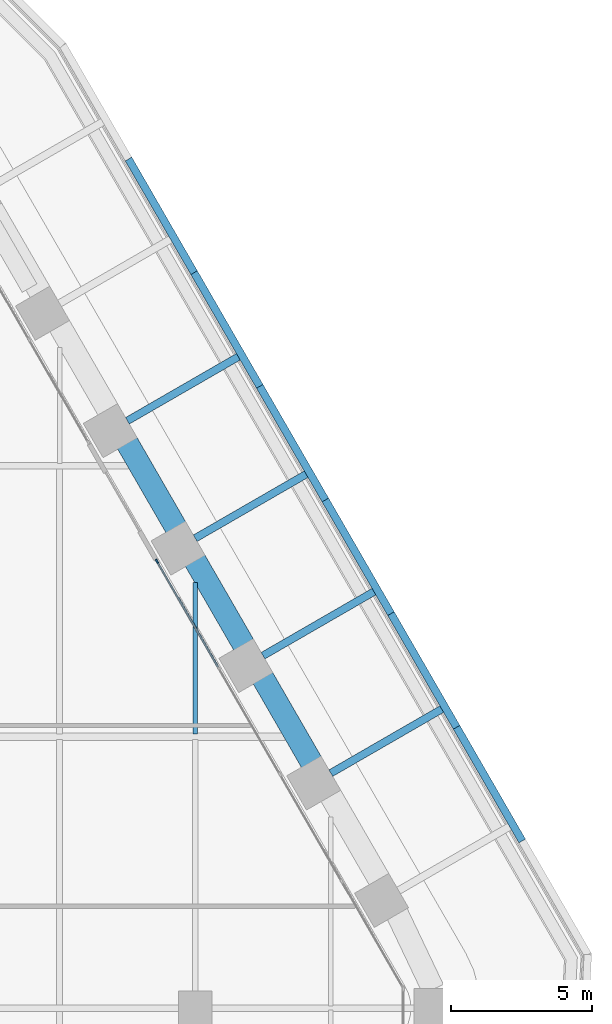
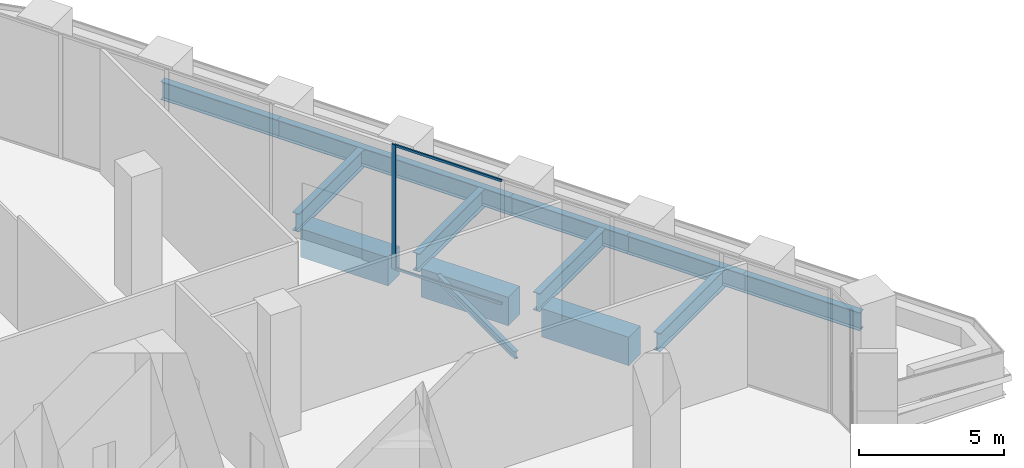
# One storey, part 13 of 30: 14 beams, 3 members, 1 element without a shape of its own.
"""IFC4 building model written with IfcOpenShell, lengths in metres."""

from ifc_helpers import new_model, si_unit, direction, frame, origin, origin_2d, place, context, subcontext, project, spatial, rectangle, i_section, extrude, material, material_profile, profile_set, type_object, element, aggregate, save


model = new_model("IFC4")

# Units and contexts
model_context = context("Model", 3, precision=1e-05, world=origin(), true_north=direction((0.0, 1.0)))
body_context = subcontext(model_context, "Body", "Model", "MODEL_VIEW")
ifc_project = project(units=[si_unit("LENGTHUNIT", "METRE"), si_unit("AREAUNIT", "SQUARE_METRE"), si_unit("VOLUMEUNIT", "CUBIC_METRE"), si_unit("PLANEANGLEUNIT", "RADIAN"), si_unit("MASSUNIT", "GRAM", prefix="KILO")], contexts=[model_context])

# Site, building, storey
site_placement = place(None, origin())
site = spatial("IfcSite", under=ifc_project, at=site_placement, CompositionType="ELEMENT")
building_placement = place(site_placement, origin())
building = spatial("IfcBuilding", under=site, at=building_placement, Name="Kolab Exchange Tower", CompositionType="ELEMENT")
storey_placement = place(building_placement, frame((0.0, 0.0, 38.89990234375)))
storey = spatial("IfcBuildingStorey", under=building, at=storey_placement, Name="L07", CompositionType="ELEMENT", Elevation=38.89990234375)

# Beams
ifc_material_1 = material(Name="Steel S355", Category="steel")
ifc_material_profile_1 = material_profile(ifc_material_1, i_section(OverallWidth=0.1650390625, OverallDepth=0.31005859375, WebThickness=0.005859375, FlangeThickness=0.009765625, at=origin_2d()), Name="W310X39")
ifc_profile_set_1 = profile_set([ifc_material_profile_1], Name="Steel S355")
beam_type_1 = type_object("IfcBeamType", Name="FLOOR BEAM W310X39", PredefinedType="BEAM", material=ifc_profile_set_1)
beam_1_placement = place(storey_placement, frame((28.800048828125, 9.693603515625, -0.40478515625), z_axis=(0.0, 1.0, 0.0), x_axis=(-1.0, 0.0, 0.0)))
element("IfcBeam", 1, at=beam_1_placement, inside=storey, type_object=beam_type_1, Name="beam/L07/fr/061", PredefinedType="BEAM", context=body_context, shape_type="SweptSolid", body=[
    extrude(i_section(OverallWidth=0.1650390625, OverallDepth=0.31005859375, WebThickness=0.005859375, FlangeThickness=0.009765625, at=origin_2d()), origin(), (0.0, 0.0, 1.0), 5.3740234375),
])
ifc_material_profile_2 = material_profile(ifc_material_1, i_section(OverallWidth=0.26708984375, OverallDepth=0.761962890625, WebThickness=0.014404296875, FlangeThickness=0.021484375, at=origin_2d()), Name="W760X173")
ifc_profile_set_2 = profile_set([ifc_material_profile_2], Name="Steel S355")
beam_type_2 = type_object("IfcBeamType", Name="FLOOR GIRDER W760X173", PredefinedType="BEAM", material=ifc_profile_set_2)
for number, where, z_axis, x_axis, name in (
    (2, (26.39990234375, 20.78466796875, -0.69091796875), (0.866043881399, 0.499967994467, 0.0), (-0.499967994467, 0.866043881399, 0.0), "beam/L07/ledge/rib-11"),
    (3, (28.800048828125, 16.627685546875, -0.69091796875), (0.866007095043, 0.500031710329, 0.0), (-0.500031710329, 0.866007095043, 0.0), "beam/L07/ledge/rib-12"),
):
    element("IfcBeam", number, at=place(storey_placement, frame(where, z_axis=z_axis, x_axis=x_axis)), inside=storey, type_object=beam_type_2, Name=name, PredefinedType="BEAM", context=body_context, shape_type="SweptSolid", body=[
        extrude(i_section(OverallWidth=0.26708984375, OverallDepth=0.761962890625, WebThickness=0.014404296875, FlangeThickness=0.021484375, at=origin_2d()), origin(), (0.0, 0.0, 1.0), 4.532958984375),
    ])
beam_2_placement = place(storey_placement, frame((31.199951171875, 12.470703125, -0.69091796875), z_axis=(0.866020560687, 0.500008388397, 0.0), x_axis=(-0.500008388397, 0.866020560687, 0.0)))
element("IfcBeam", 4, at=beam_2_placement, inside=storey, type_object=beam_type_2, Name="beam/L07/ledge/rib-13", PredefinedType="BEAM", context=body_context, shape_type="SweptSolid", body=[
    extrude(i_section(OverallWidth=0.26708984375, OverallDepth=0.761962890625, WebThickness=0.014404296875, FlangeThickness=0.021484375, at=origin_2d()), origin(), (0.0, 0.0, 1.0), 4.533203125),
])
beam_3_placement = place(storey_placement, frame((33.60009765625, 8.313720703125, -0.69091796875), z_axis=(0.866007095043, 0.500031710329, 0.0), x_axis=(-0.500031710329, 0.866007095043, 0.0)))
element("IfcBeam", 5, at=beam_3_placement, inside=storey, type_object=beam_type_2, Name="beam/L07/ledge/rib-14", PredefinedType="BEAM", context=body_context, shape_type="SweptSolid", body=[
    extrude(i_section(OverallWidth=0.26708984375, OverallDepth=0.761962890625, WebThickness=0.014404296875, FlangeThickness=0.021484375, at=origin_2d()), origin(), (0.0, 0.0, 1.0), 4.532958984375),
])
for number, where, z_axis, x_axis, name in (
    (6, (26.438720703125, 30.050537109375, -0.69091796875), (0.500016644261, -0.866015794002, 0.0), (0.866015794002, 0.500016644261, 0.0), "beam/L07/ledge/edge-12"),
    (7, (28.761474609375, 26.027587890625, -0.69091796875), (0.499977226672, -0.866038551572, 0.0), (0.866038551572, 0.499977226672, 0.0), "beam/L07/ledge/edge-13"),
    (8, (31.083984375, 22.004638671875, -0.69091796875), (0.499977226672, -0.866038551572, 0.0), (0.866038551572, 0.499977226672, 0.0), "beam/L07/ledge/edge-14"),
    (9, (33.406494140625, 17.981689453125, -0.69091796875), (0.500016644261, -0.866015794002, 0.0), (0.866015794002, 0.500016644261, 0.0), "beam/L07/ledge/edge-15"),
    (10, (35.729248046875, 13.958740234375, -0.69091796875), (0.500016644261, -0.866015794002, 0.0), (0.866015794002, 0.500016644261, 0.0), "beam/L07/ledge/edge-16"),
):
    element("IfcBeam", number, at=place(storey_placement, frame(where, z_axis=z_axis, x_axis=x_axis)), inside=storey, type_object=beam_type_2, Name=name, PredefinedType="BEAM", context=body_context, shape_type="SweptSolid", body=[
        extrude(i_section(OverallWidth=0.26708984375, OverallDepth=0.761962890625, WebThickness=0.014404296875, FlangeThickness=0.021484375, at=origin_2d()), origin(), (0.0, 0.0, 1.0), 4.645263671875),
    ])
beam_4_placement = place(storey_placement, frame((38.052001953125, 9.935791015625, -0.69091796875), z_axis=(0.499999984806, -0.866025412557, 0.0), x_axis=(0.866025412557, 0.499999984806, 0.0)))
element("IfcBeam", 11, at=beam_4_placement, inside=storey, type_object=beam_type_2, Name="beam/L07/ledge/edge-17", PredefinedType="BEAM", context=body_context, shape_type="SweptSolid", body=[
    extrude(i_section(OverallWidth=0.26708984375, OverallDepth=0.761962890625, WebThickness=0.014404296875, FlangeThickness=0.021484375, at=origin_2d()), origin(), (0.0, 0.0, 1.0), 4.64501953125),
])
ifc_material_2 = material(Name="Concrete C80/95", Category="concrete")
ifc_material_profile_3 = material_profile(ifc_material_2, rectangle(XDim=0.800048828125, YDim=1.199951171875, at=origin_2d()), Name="RC800X1200")
ifc_profile_set_3 = profile_set([ifc_material_profile_3], Name="Concrete C80/95")
beam_type_3 = type_object("IfcBeamType", Name="SPANDREL BEAM 800X1200 C80/95", PredefinedType="BEAM", material=ifc_profile_set_3)
beam_5_placement = place(storey_placement, frame((26.383544921875, 20.012939453125, -0.849853515625), z_axis=(0.500009906705, -0.86601968407, 0.0), x_axis=(0.86601968407, 0.500009906705, 0.0)))
element("IfcBeam", 12, at=beam_5_placement, inside=storey, type_object=beam_type_3, Name="beam/L07/sp/F2-04", PredefinedType="BEAM", context=body_context, shape_type="SweptSolid", body=[
    extrude(rectangle(XDim=0.800048828125, YDim=1.199951171875, at=origin_2d()), origin(), (0.0, 0.0, 1.0), 3.47998046875),
])
for number, where, z_axis, x_axis, name in (
    (13, (28.78369140625, 15.856201171875, -0.849853515625), (0.499979528911, -0.866037222451, 0.0), (0.866037222451, 0.499979528911, 0.0), "beam/L07/sp/F2-05"),
    (14, (31.18359375, 11.69921875, -0.849853515625), (0.499979528911, -0.866037222451, 0.0), (0.866037222451, 0.499979528911, 0.0), "beam/L07/sp/F2-06"),
):
    element("IfcBeam", number, at=place(storey_placement, frame(where, z_axis=z_axis, x_axis=x_axis)), inside=storey, type_object=beam_type_3, Name=name, PredefinedType="BEAM", context=body_context, shape_type="SweptSolid", body=[
        extrude(rectangle(XDim=0.800048828125, YDim=1.199951171875, at=origin_2d()), origin(), (0.0, 0.0, 1.0), 3.480224609375),
    ])

# Curtain wall, members
ifc_material_3 = material(Name="Aluminium EN AW-6063 T6", Category="aluminium")
curtain_wall_type = type_object("IfcCurtainWallType", Name="UNITISED LOW ZONE CURTAIN WALL", PredefinedType="NOTDEFINED", material=ifc_material_3)
curtain_wall_placement = place(storey_placement, origin())
curtain_wall = element("IfcCurtainWall", 15, at=curtain_wall_placement, inside=storey, type_object=curtain_wall_type, Name="cw/L07/F2-2", PredefinedType="NOTDEFINED")
ifc_material_profile_4 = material_profile(ifc_material_3, rectangle(XDim=0.06005859375, YDim=0.159912109375, at=origin_2d()), Name="RECT 60X160")
ifc_profile_set_4 = profile_set([ifc_material_profile_4], Name="Aluminium EN AW-6063 T6")
member_type_1 = type_object("IfcMemberType", Name="UNITISED LOW ZONE MULLION 60 X 160", PredefinedType="MULLION", material=ifc_profile_set_4)
member_1_placement = place(storey_placement, frame((27.44677734375, 15.811767578125, 0.0), z_axis=(0.0, 0.0, 1.0), x_axis=(0.866025422102, 0.499999968274, 0.0)))
member_1 = element("IfcMember", 16, at=member_1_placement, type_object=member_type_1, Name="CW1 mullion 1", PredefinedType="MULLION", context=body_context, shape_type="SweptSolid", body=[
    extrude(rectangle(XDim=0.06005859375, YDim=0.159912109375, at=origin_2d()), origin(), (0.0, 0.0, 1.0), 5.25),
])
ifc_material_profile_5 = material_profile(ifc_material_3, rectangle(XDim=0.06005859375, YDim=0.10009765625, at=origin_2d()), Name="RECT 60X100")
ifc_profile_set_5 = profile_set([ifc_material_profile_5], Name="Aluminium EN AW-6063 T6")
member_type_2 = type_object("IfcMemberType", Name="UNITISED LOW ZONE TRANSOM 60 X 100", PredefinedType="USERDEFINED", material=ifc_profile_set_5)
member_2_placement = place(storey_placement, frame((27.461669921875, 15.78564453125, 0.030029296875), z_axis=(0.500000816281, -0.866024932504, 0.0), x_axis=(0.866024932504, 0.500000816281, 0.0)))
member_2 = element("IfcMember", 17, at=member_2_placement, type_object=member_type_2, Name="CW1 transom 1.1", ObjectType="TRANSOM", PredefinedType="USERDEFINED", context=body_context, shape_type="SweptSolid", body=[
    extrude(rectangle(XDim=0.06005859375, YDim=0.10009765625, at=origin_2d()), origin(), (0.0, 0.0, 1.0), 4.27685546875),
])
member_3_placement = place(storey_placement, frame((27.461669921875, 15.78564453125, 5.22021484375), z_axis=(0.500000816281, -0.866024932504, 0.0), x_axis=(0.866024932504, 0.500000816281, 0.0)))
member_3 = element("IfcMember", 18, at=member_3_placement, type_object=member_type_2, Name="CW1 transom 1.2", ObjectType="TRANSOM", PredefinedType="USERDEFINED", context=body_context, shape_type="SweptSolid", body=[
    extrude(rectangle(XDim=0.06005859375, YDim=0.10009765625, at=origin_2d()), origin(), (0.0, 0.0, 1.0), 4.27685546875),
])
aggregate(curtain_wall, [member_1, member_2, member_3])

save(model, "model.ifc")
